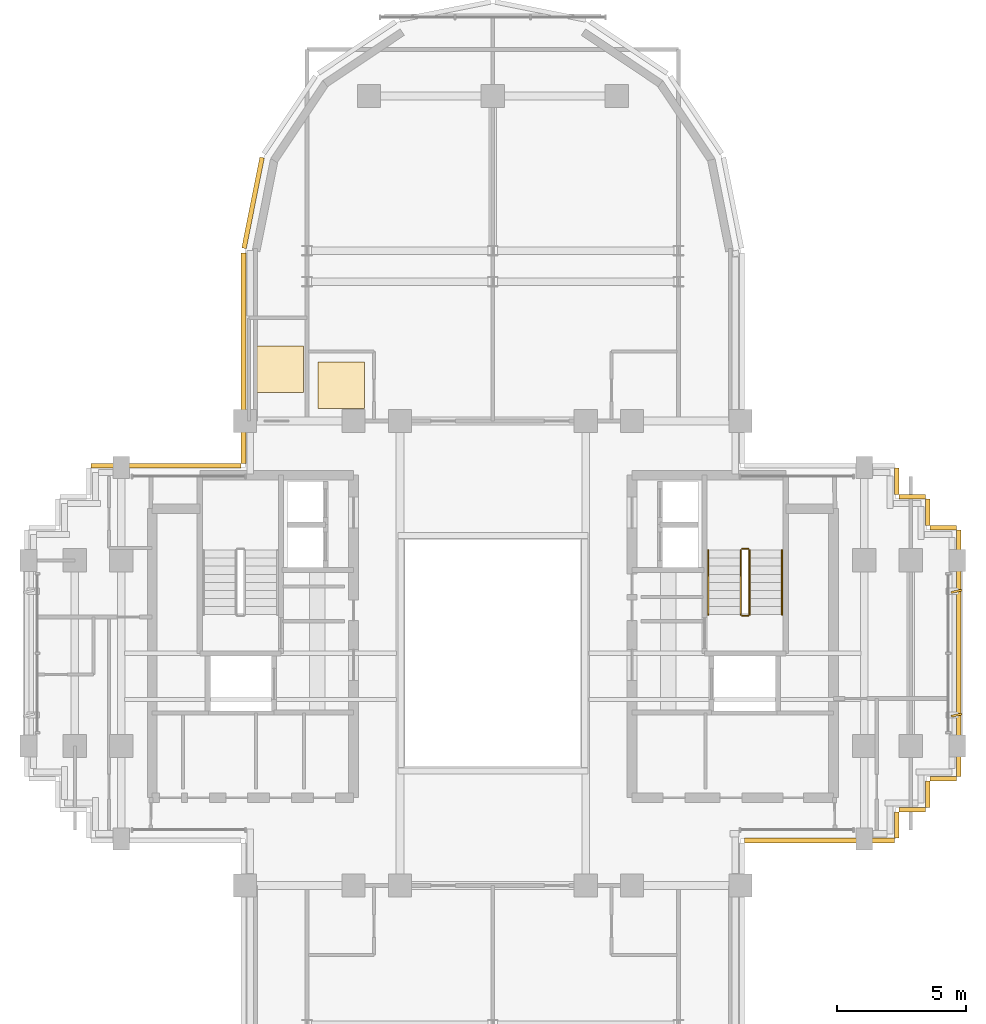
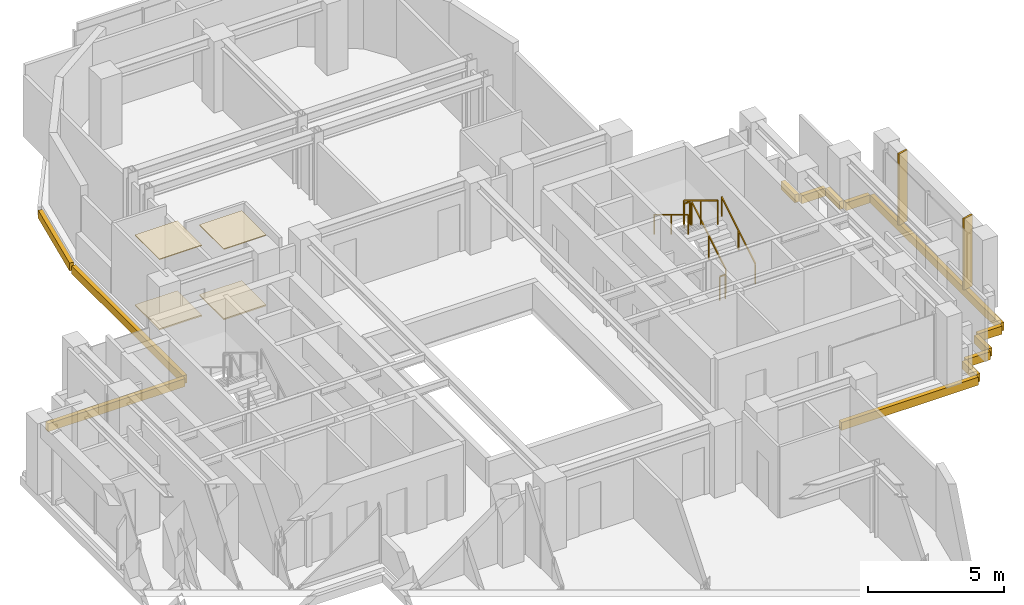
# One storey, part 11 of 12: 17 coverings, 6 railings, 2 shading devices.
"""IFC4 building model written with IfcOpenShell, lengths in metres."""

from ifc_helpers import new_model, si_unit, direction, frame, origin, origin_2d, place, context, subcontext, project, spatial, rectangle, extrude, source, transform, mapped, material, layer, layer_set, type_object, element, save


model = new_model("IFC4")

# Units and contexts
model_context = context("Model", 3, precision=1e-05, world=origin(), true_north=direction((0.0, 1.0)))
body_context = subcontext(model_context, "Body", "Model", "MODEL_VIEW")
ifc_project = project(units=[si_unit("LENGTHUNIT", "METRE"), si_unit("AREAUNIT", "SQUARE_METRE"), si_unit("VOLUMEUNIT", "CUBIC_METRE"), si_unit("PLANEANGLEUNIT", "RADIAN"), si_unit("MASSUNIT", "GRAM", prefix="KILO")], contexts=[model_context])

# Site, building, storey
site_placement = place(None, origin())
site = spatial("IfcSite", under=ifc_project, at=site_placement, CompositionType="ELEMENT")
building_placement = place(site_placement, origin())
building = spatial("IfcBuilding", under=site, at=building_placement, Name="Keilestroom Media Tower", CompositionType="ELEMENT")
storey_placement = place(building_placement, frame((0.0, 0.0, 184.199951171875)))
storey = spatial("IfcBuildingStorey", under=building, at=storey_placement, Name="L50", CompositionType="ELEMENT", Elevation=184.199951171875)

# Railings
ifc_material_1 = material(Name="Brushed Stainless Steel 1.4301", Category="steel")
railing_type_1 = type_object("IfcRailingType", Name="Stair-Pitch-Handrail-920", PredefinedType="HANDRAIL", material=ifc_material_1)
railing_1_placement = place(storey_placement, frame((11.2099609375, 1.5, 0.18896484375)))
element("IfcRailing", 1, at=railing_1_placement, inside=storey, type_object=railing_type_1, Name="L50 ST-2 stair handrail 1", PredefinedType="HANDRAIL", context=body_context, shape_type="SweptSolid", body=[
    extrude(rectangle(XDim=0.048095703125, YDim=0.048095703125, at=origin_2d()), frame((0.0, 0.0, 0.8759765625), z_axis=(0.0, 0.855470815493, 0.517851024754), x_axis=(-1.0, 0.0, 0.0)), (0.0, 0.0, 1.0), 2.917724609375),
    extrude(rectangle(XDim=0.0419921875, YDim=0.0419921875, at=origin_2d()), origin(), (0.0, 0.0, 1.0), 0.84375),
    extrude(rectangle(XDim=0.0419921875, YDim=0.0419921875, at=origin_2d()), frame((0.0, 1.248046875, 0.75537109375)), (0.0, 0.0, 1.0), 0.84375),
    extrude(rectangle(XDim=0.0419921875, YDim=0.0419921875, at=origin_2d()), frame((0.0, 2.49609375, 1.510986328125)), (0.0, 0.0, 1.0), 0.84375),
])
railing_2_placement = place(storey_placement, frame((8.35009765625, 3.99609375, 1.888916015625)))
element("IfcRailing", 2, at=railing_2_placement, inside=storey, type_object=railing_type_1, Name="L50 ST-2 stair handrail 2", PredefinedType="HANDRAIL", context=body_context, shape_type="SweptSolid", body=[
    extrude(rectangle(XDim=0.048095703125, YDim=0.048095703125, at=origin_2d()), frame((0.0, 0.0, 0.8759765625), z_axis=(0.0, -0.855433747314, 0.517912255074), x_axis=(1.0, 0.0, 0.0)), (0.0, 0.0, 1.0), 2.91796875),
    extrude(rectangle(XDim=0.0419921875, YDim=0.0419921875, at=origin_2d()), origin(), (0.0, 0.0, 1.0), 0.84375),
    extrude(rectangle(XDim=0.0419921875, YDim=0.0419921875, at=origin_2d()), frame((0.0, -1.248046875, 0.755615234375)), (0.0, 0.0, 1.0), 0.84375),
    extrude(rectangle(XDim=0.0419921875, YDim=0.0419921875, at=origin_2d()), frame((0.0, -2.49609375, 1.51123046875)), (0.0, 0.0, 1.0), 0.84375),
])
ifc_material_2 = material(Name="Painted Steel Balustrade", Category="steel")
railing_type_2 = type_object("IfcRailingType", Name="Stair-Well-And-Landing-Guard-1100", PredefinedType="GUARDRAIL", material=ifc_material_2)
railing_3_placement = place(storey_placement, frame((9.949951171875, 1.5, 0.18896484375)))
element("IfcRailing", 3, at=railing_3_placement, inside=storey, type_object=railing_type_2, Name="L50 ST-2 stair guard 1", PredefinedType="GUARDRAIL", context=body_context, shape_type="SweptSolid", body=[
    extrude(rectangle(XDim=0.048095703125, YDim=0.048095703125, at=origin_2d()), frame((0.0, 0.0, 1.076171875), z_axis=(0.0, 0.855470815493, 0.517851024754), x_axis=(-1.0, 0.0, 0.0)), (0.0, 0.0, 1.0), 2.917724609375),
    extrude(rectangle(XDim=0.0419921875, YDim=0.0419921875, at=origin_2d()), origin(), (0.0, 0.0, 1.0), 1.0439453125),
    extrude(rectangle(XDim=0.0419921875, YDim=0.0419921875, at=origin_2d()), frame((0.0, 1.248046875, 0.75537109375)), (0.0, 0.0, 1.0), 1.0439453125),
    extrude(rectangle(XDim=0.0419921875, YDim=0.0419921875, at=origin_2d()), frame((0.0, 2.49609375, 1.510986328125)), (0.0, 0.0, 1.0), 1.0439453125),
])
railing_4_placement = place(storey_placement, frame((9.89990234375, 4.0458984375, 1.699951171875)))
element("IfcRailing", 4, at=railing_4_placement, inside=storey, type_object=railing_type_2, Name="L50 ST-2 stair guard 2", PredefinedType="GUARDRAIL", context=body_context, shape_type="SweptSolid", body=[
    extrude(rectangle(XDim=0.048095703125, YDim=0.048095703125, at=origin_2d()), frame((0.0, 0.0, 1.076171875), z_axis=(-1.0, 0.0, 0.0), x_axis=(0.0, -1.0, 0.0)), (0.0, 0.0, 1.0), 0.239990234375),
    extrude(rectangle(XDim=0.0419921875, YDim=0.0419921875, at=origin_2d()), origin(), (0.0, 0.0, 1.0), 1.0439453125),
    extrude(rectangle(XDim=0.0419921875, YDim=0.0419921875, at=origin_2d()), frame((-0.239990234375, 0.0, 0.0)), (0.0, 0.0, 1.0), 1.0439453125),
])
railing_5_placement = place(storey_placement, frame((9.610107421875, 3.99609375, 1.888916015625)))
element("IfcRailing", 5, at=railing_5_placement, inside=storey, type_object=railing_type_2, Name="L50 ST-2 stair guard 3", PredefinedType="GUARDRAIL", context=body_context, shape_type="SweptSolid", body=[
    extrude(rectangle(XDim=0.048095703125, YDim=0.048095703125, at=origin_2d()), frame((0.0, 0.0, 1.076171875), z_axis=(0.0, -0.855433747314, 0.517912255074), x_axis=(1.0, 0.0, 0.0)), (0.0, 0.0, 1.0), 2.91796875),
    extrude(rectangle(XDim=0.0419921875, YDim=0.0419921875, at=origin_2d()), origin(), (0.0, 0.0, 1.0), 1.0439453125),
    extrude(rectangle(XDim=0.0419921875, YDim=0.0419921875, at=origin_2d()), frame((0.0, -1.248046875, 0.755615234375)), (0.0, 0.0, 1.0), 1.0439453125),
    extrude(rectangle(XDim=0.0419921875, YDim=0.0419921875, at=origin_2d()), frame((0.0, -2.49609375, 1.51123046875)), (0.0, 0.0, 1.0), 1.0439453125),
])
railing_6_placement = place(storey_placement, frame((9.89990234375, 1.449951171875, 0.0)))
element("IfcRailing", 6, at=railing_6_placement, inside=storey, type_object=railing_type_2, Name="L50 ST-2 stair guard 4", PredefinedType="GUARDRAIL", context=body_context, shape_type="SweptSolid", body=[
    extrude(rectangle(XDim=0.048095703125, YDim=0.048095703125, at=origin_2d()), frame((0.0, 0.0, 1.076171875), z_axis=(-1.0, 0.0, 0.0), x_axis=(0.0, -1.0, 0.0)), (0.0, 0.0, 1.0), 0.239990234375),
    extrude(rectangle(XDim=0.0419921875, YDim=0.0419921875, at=origin_2d()), origin(), (0.0, 0.0, 1.0), 1.0439453125),
    extrude(rectangle(XDim=0.0419921875, YDim=0.0419921875, at=origin_2d()), frame((-0.239990234375, 0.0, 0.0)), (0.0, 0.0, 1.0), 1.0439453125),
])

# Shading devices
ifc_material_3 = material(Name="Bronze Anodised Aluminium", Category="aluminium")
shading_device_type = type_object("IfcShadingDeviceType", Name="Facade-Vertical-Sunshade-Fin-SHD-1", PredefinedType="USERDEFINED", material=ifc_material_3)
shared_shape_1 = source(origin(), body_context, "Body", "SweptSolid", [
    extrude(rectangle(XDim=0.419921875, YDim=0.080078125, at=origin_2d()), origin(), (0.0, 0.0, 1.0), 3.199951171875),
])
for number, where, z_axis, x_axis, name in (
    (7, (17.969970703125, -2.39990234375, 0.0), (0.0, 0.0, 1.0), (0.976821953852, 0.214053429014, 0.0), "L50 Twisting Sunshade Fin SHD-1 071"),
    (8, (17.969970703125, 2.39990234375, 0.0), (0.0, 0.0, 1.0), (0.976821953852, 0.214053429014, 0.0), "L50 Twisting Sunshade Fin SHD-1 072"),
):
    element("IfcShadingDevice", number, at=place(storey_placement, frame(where, z_axis=z_axis, x_axis=x_axis)), inside=storey, type_object=shading_device_type, Name=name, ObjectType="SUNSHADE", PredefinedType="USERDEFINED", context=body_context, shape_type="MappedRepresentation", body=[
        mapped(shared_shape_1, transform((0.0, 0.0, 0.0), x_axis=(1.0, 0.0, 0.0), y_axis=(0.0, 1.0, 0.0), z_axis=(0.0, 0.0, 1.0), scale=1.0)),
    ])

# Coverings
ifc_material_4 = material(Name="Precast concrete C40/50", Category="concrete")
ifc_layer_1 = layer(ifc_material_4, 0.1201171875)
ifc_layer_set_1 = layer_set([ifc_layer_1], Name="Precast concrete C40/50")
covering_type_1 = type_object("IfcCoveringType", Name="Exterior-Precast-Spandrel-Cladding-Panel-120", PredefinedType="CLADDING", material=ifc_layer_set_1)
shared_shape_2 = source(origin(), body_context, "Body", "SweptSolid", [
    extrude(rectangle(XDim=1.02001953125, YDim=0.179931640625, at=origin_2d()), origin(), (0.0, 0.0, 1.0), 0.360107421875),
])
for number, where, z_axis, x_axis, name in (
    (9, (17.4599609375, -4.860107421875, -0.5400390625), (0.0, 0.0, 1.0), (-1.0, 0.0, 0.0), "L50 Precast Slab-Edge Fascia Cornice 01"),
    (10, (16.860107421875, -5.4599609375, -0.5400390625), (0.0, 0.0, 1.0), (0.0, -1.0, 0.0), "L50 Precast Slab-Edge Fascia Cornice 02"),
    (11, (16.260009765625, -6.06005859375, -0.5400390625), (0.0, 0.0, 1.0), (-1.0, 0.0, 0.0), "L50 Precast Slab-Edge Fascia Cornice 03"),
    (12, (15.659912109375, -6.659912109375, -0.5400390625), (0.0, 0.0, 1.0), (0.0, -1.0, 0.0), "L50 Precast Slab-Edge Fascia Cornice 04"),
    (13, (15.659912109375, 6.659912109375, -0.5400390625), (0.0, 0.0, 1.0), (0.0, -1.0, 0.0), "L50 Precast Slab-Edge Fascia Cornice 38"),
    (14, (16.260009765625, 6.06005859375, -0.5400390625), (0.0, 0.0, 1.0), (1.0, 0.0, 0.0), "L50 Precast Slab-Edge Fascia Cornice 39"),
    (15, (16.860107421875, 5.4599609375, -0.5400390625), (0.0, 0.0, 1.0), (0.0, -1.0, 0.0), "L50 Precast Slab-Edge Fascia Cornice 40"),
    (16, (17.4599609375, 4.860107421875, -0.5400390625), (0.0, 0.0, 1.0), (1.0, 0.0, 0.0), "L50 Precast Slab-Edge Fascia Cornice 41"),
):
    element("IfcCovering", number, at=place(storey_placement, frame(where, z_axis=z_axis, x_axis=x_axis)), inside=storey, type_object=covering_type_1, Name=name, PredefinedType="CLADDING", context=body_context, shape_type="MappedRepresentation", body=[
        mapped(shared_shape_2, transform((0.0, 0.0, 0.0), x_axis=(1.0, 0.0, 0.0), y_axis=(0.0, 1.0, 0.0), z_axis=(0.0, 0.0, 1.0), scale=1.0)),
    ])
shared_shape_3 = source(origin(), body_context, "Body", "SweptSolid", [
    extrude(rectangle(XDim=8.166015625, YDim=0.179931640625, at=origin_2d()), origin(), (0.0, 0.0, 1.0), 0.360107421875),
])
covering_1_placement = place(storey_placement, frame((-9.659912109375, 11.43310546875, -0.5400390625), z_axis=(0.0, 0.0, 1.0), x_axis=(0.0, 1.0, 0.0)))
element("IfcCovering", 17, at=covering_1_placement, inside=storey, type_object=covering_type_1, Name="L50 Precast Slab-Edge Fascia Cornice 27", PredefinedType="CLADDING", context=body_context, shape_type="MappedRepresentation", body=[
    mapped(shared_shape_3, transform((0.0, 0.0, 0.0), x_axis=(1.0, 0.0, 0.0), y_axis=(0.0, 1.0, 0.0), z_axis=(0.0, 0.0, 1.0), scale=1.0)),
])
shared_shape_4 = source(origin(), body_context, "Body", "SweptSolid", [
    extrude(rectangle(XDim=3.58349609375, YDim=0.179931640625, at=origin_2d()), origin(), (0.0, 0.0, 1.0), 0.360107421875),
])
covering_2_placement = place(storey_placement, frame((-9.29296875, 17.45166015625, -0.5400390625), z_axis=(0.0, 0.0, 1.0), x_axis=(0.195098880975, 0.980783577882, 0.0)))
element("IfcCovering", 18, at=covering_2_placement, inside=storey, type_object=covering_type_1, Name="L50 Precast Slab-Edge Fascia Cornice 28", PredefinedType="CLADDING", context=body_context, shape_type="MappedRepresentation", body=[
    mapped(shared_shape_4, transform((0.0, 0.0, 0.0), x_axis=(1.0, 0.0, 0.0), y_axis=(0.0, 1.0, 0.0), z_axis=(0.0, 0.0, 1.0), scale=1.0)),
])
shared_shape_5 = source(origin(), body_context, "Body", "SweptSolid", [
    extrude(rectangle(XDim=9.5400390625, YDim=0.179931640625, at=origin_2d()), origin(), (0.0, 0.0, 1.0), 0.360107421875),
])
covering_3_placement = place(storey_placement, frame((18.06005859375, 0.0, -0.5400390625), z_axis=(0.0, 0.0, 1.0), x_axis=(0.0, -1.0, 0.0)))
element("IfcCovering", 19, at=covering_3_placement, inside=storey, type_object=covering_type_1, Name="L50 Precast Slab-Edge Fascia Cornice 42", PredefinedType="CLADDING", context=body_context, shape_type="MappedRepresentation", body=[
    mapped(shared_shape_5, transform((0.0, 0.0, 0.0), x_axis=(1.0, 0.0, 0.0), y_axis=(0.0, 1.0, 0.0), z_axis=(0.0, 0.0, 1.0), scale=1.0)),
])
shared_shape_6 = source(origin(), body_context, "Body", "SweptSolid", [
    extrude(rectangle(XDim=5.820068359375, YDim=0.179931640625, at=origin_2d()), origin(), (0.0, 0.0, 1.0), 0.360107421875),
])
for number, where, z_axis, x_axis, name in (
    (20, (12.659912109375, -7.260009765625, -0.5400390625), (0.0, 0.0, 1.0), (-1.0, 0.0, 0.0), "L50 Precast Slab-Edge Fascia Cornice 05"),
    (21, (-12.659912109375, 7.260009765625, -0.5400390625), (0.0, 0.0, 1.0), (1.0, 0.0, 0.0), "L50 Precast Slab-Edge Fascia Cornice 26"),
):
    element("IfcCovering", number, at=place(storey_placement, frame(where, z_axis=z_axis, x_axis=x_axis)), inside=storey, type_object=covering_type_1, Name=name, PredefinedType="CLADDING", context=body_context, shape_type="MappedRepresentation", body=[
        mapped(shared_shape_6, transform((0.0, 0.0, 0.0), x_axis=(1.0, 0.0, 0.0), y_axis=(0.0, 1.0, 0.0), z_axis=(0.0, 0.0, 1.0), scale=1.0)),
    ])
ifc_material_5 = material(Name="Mineral-Fibre Acoustic Ceiling Tile", Category="gypsum")
ifc_layer_2 = layer(ifc_material_5, 0.0400390625)
ifc_layer_set_2 = layer_set([ifc_layer_2], Name="Mineral-Fibre Acoustic Ceiling Tile")
covering_type_2 = type_object("IfcCoveringType", Name="Suspended-Acoustic-Ceiling-40", PredefinedType="CEILING", material=ifc_layer_set_2)
shared_shape_7 = source(origin(), body_context, "Body", "SweptSolid", [
    extrude(rectangle(XDim=1.800048828125, YDim=1.800048828125, at=origin_2d()), origin(), (0.0, 0.0, 1.0), 0.0400390625),
])
for number, where, z_axis, x_axis, name in (
    (22, (-8.2451171875, 11.0, 3.159912109375), (0.0, 0.0, 1.0), (1.0, 0.0, 0.0), "L50 Suspended Acoustic Ceiling 1"),
    (23, (-5.8701171875, 10.3798828125, 3.159912109375), (0.0, 0.0, 1.0), (1.0, 0.0, 0.0), "L50 Suspended Acoustic Ceiling 2"),
):
    element("IfcCovering", number, at=place(storey_placement, frame(where, z_axis=z_axis, x_axis=x_axis)), inside=storey, type_object=covering_type_2, Name=name, PredefinedType="CEILING", context=body_context, shape_type="MappedRepresentation", body=[
        mapped(shared_shape_7, transform((0.0, 0.0, 0.0), x_axis=(1.0, 0.0, 0.0), y_axis=(0.0, 1.0, 0.0), z_axis=(0.0, 0.0, 1.0), scale=1.0)),
    ])
ifc_material_6 = material(Name="Calcium-Sulphate Raised Access Floor", Category="concrete")
ifc_layer_3 = layer(ifc_material_6, 0.06005859375)
ifc_layer_set_3 = layer_set([ifc_layer_3], Name="Calcium-Sulphate Raised Access Floor")
covering_type_3 = type_object("IfcCoveringType", Name="Raised-Access-And-Acoustic-Flooring-60", PredefinedType="FLOORING", material=ifc_layer_set_3)
shared_shape_8 = source(origin(), body_context, "Body", "SweptSolid", [
    extrude(rectangle(XDim=1.800048828125, YDim=1.800048828125, at=origin_2d()), origin(), (0.0, 0.0, 1.0), 0.06005859375),
])
for number, where, z_axis, x_axis, name in (
    (24, (-8.2451171875, 11.0, 0.0), (0.0, 0.0, 1.0), (1.0, 0.0, 0.0), "L50 Raised Access Flooring 1"),
    (25, (-5.8701171875, 10.3798828125, 0.0), (0.0, 0.0, 1.0), (1.0, 0.0, 0.0), "L50 Raised Access Flooring 2"),
):
    element("IfcCovering", number, at=place(storey_placement, frame(where, z_axis=z_axis, x_axis=x_axis)), inside=storey, type_object=covering_type_3, Name=name, PredefinedType="FLOORING", context=body_context, shape_type="MappedRepresentation", body=[
        mapped(shared_shape_8, transform((0.0, 0.0, 0.0), x_axis=(1.0, 0.0, 0.0), y_axis=(0.0, 1.0, 0.0), z_axis=(0.0, 0.0, 1.0), scale=1.0)),
    ])

save(model, "model.ifc")
